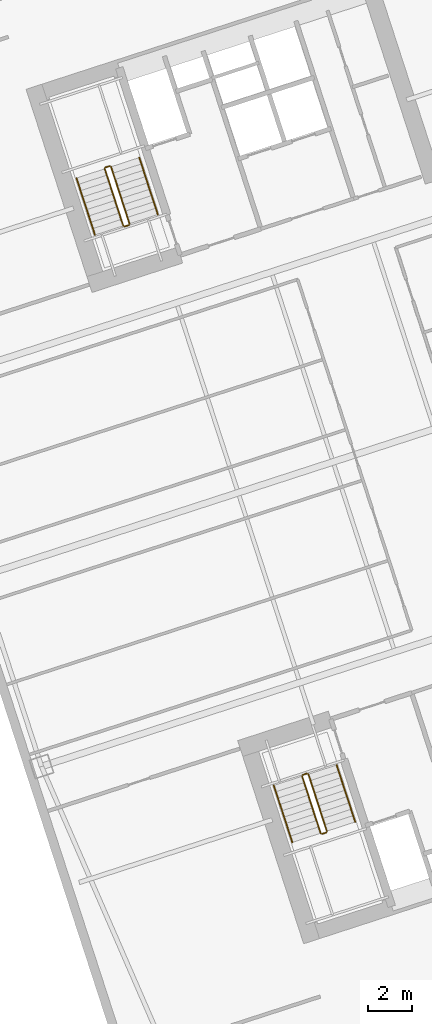
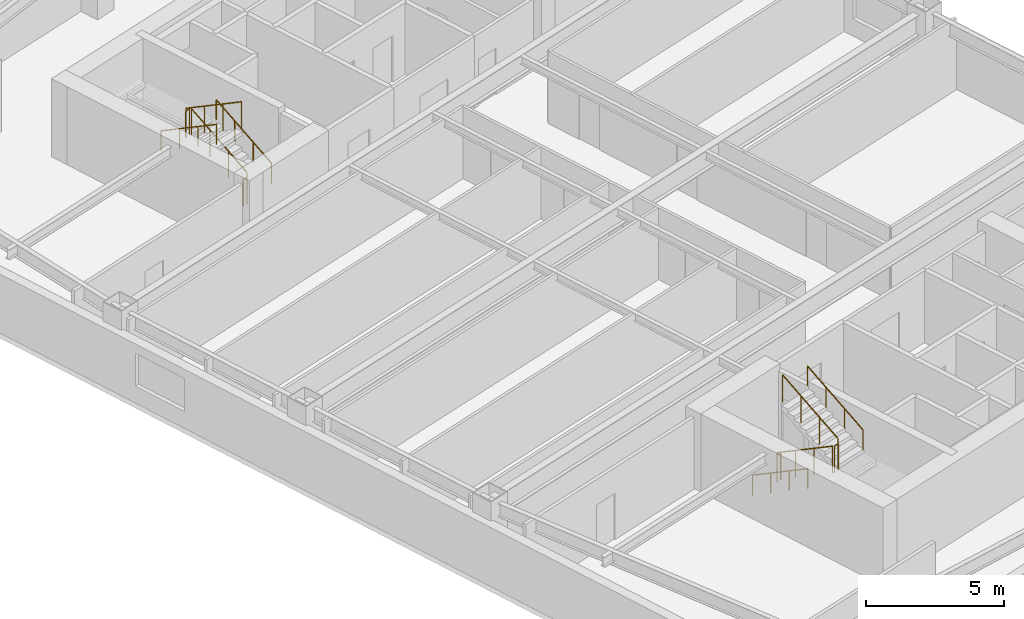
# One storey, part 13 of 13: 12 railings.
"""IFC4 building model written with IfcOpenShell, lengths in metres."""

from ifc_helpers import new_model, si_unit, direction, frame, origin, origin_2d, place, context, subcontext, project, spatial, circle, extrude, material, type_object, element, save


model = new_model("IFC4")

# Units and contexts
model_context = context("Model", 3, precision=1e-05, world=origin(), true_north=direction((0.0, 1.0)))
body_context = subcontext(model_context, "Body", "Model", "MODEL_VIEW")
ifc_project = project(units=[si_unit("LENGTHUNIT", "METRE"), si_unit("AREAUNIT", "SQUARE_METRE"), si_unit("VOLUMEUNIT", "CUBIC_METRE"), si_unit("PLANEANGLEUNIT", "RADIAN"), si_unit("MASSUNIT", "GRAM", prefix="KILO")], contexts=[model_context])

# Site, building, storey
site_placement = place(None, origin())
site = spatial("IfcSite", under=ifc_project, at=site_placement, CompositionType="ELEMENT")
building_placement = place(site_placement, origin())
building = spatial("IfcBuilding", under=site, at=building_placement, Name="Qiaolan Cultural Towers", CompositionType="ELEMENT")
storey_placement = place(building_placement, frame((0.0, 0.0, 85.10009765625)))
storey = spatial("IfcBuildingStorey", under=building, at=storey_placement, Name="L21", CompositionType="ELEMENT", Elevation=85.10009765625)

# Railings
ifc_material_1 = material(Name="Galvanized Painted Steel Stair Guardrail", Category="steel")
railing_type_1 = type_object("IfcRailingType", Name="RL-STAIR-GRD", PredefinedType="GUARDRAIL", material=ifc_material_1)
railing_1_placement = place(storey_placement, frame((88.60205078125, 19.82421875, 0.17236328125)))
element("IfcRailing", 1, at=railing_1_placement, inside=storey, type_object=railing_type_1, Name="L21 ST-E1 stair guard 1", PredefinedType="GUARDRAIL", context=body_context, shape_type="SweptSolid", body=[
    extrude(circle(Radius=0.02392578125, at=origin_2d()), frame((0.0, 0.0, 1.17578125), z_axis=(0.267925668498, -0.824471088726, 0.498460891159), x_axis=(0.951043371037, 0.309057448393, 0.0)), (0.0, 0.0, 1.0), 3.114501953125),
    extrude(circle(Radius=0.02099609375, at=origin_2d()), origin(), (0.0, 0.0, 1.0), 1.15185546875),
    extrude(circle(Radius=0.02099609375, at=origin_2d()), frame((0.278076171875, -0.85595703125, 0.517578125)), (0.0, 0.0, 1.0), 1.15185546875),
    extrude(circle(Radius=0.02099609375, at=origin_2d()), frame((0.556396484375, -1.7119140625, 1.034912109375)), (0.0, 0.0, 1.0), 1.15185546875),
    extrude(circle(Radius=0.02099609375, at=origin_2d()), frame((0.83447265625, -2.56787109375, 1.552490234375)), (0.0, 0.0, 1.0), 1.15185546875),
])
railing_2_placement = place(storey_placement, frame((89.49951171875, 17.224365234375, 1.724853515625)))
element("IfcRailing", 2, at=railing_2_placement, inside=storey, type_object=railing_type_1, Name="L21 ST-E1 stair guard 2", PredefinedType="GUARDRAIL", context=body_context, shape_type="SweptSolid", body=[
    extrude(circle(Radius=0.02392578125, at=origin_2d()), frame((0.0, 0.0, 1.17578125), z_axis=(0.951096855055, 0.308892816854, 0.0), x_axis=(-0.308892816854, 0.951096855055, 0.0)), (0.0, 0.0, 1.0), 0.199951171875),
    extrude(circle(Radius=0.02099609375, at=origin_2d()), origin(), (0.0, 0.0, 1.0), 1.15185546875),
    extrude(circle(Radius=0.02099609375, at=origin_2d()), frame((0.190185546875, 0.061767578125, 0.0)), (0.0, 0.0, 1.0), 1.15185546875),
])
railing_3_placement = place(storey_placement, frame((89.721923828125, 17.34912109375, 1.8974609375)))
element("IfcRailing", 3, at=railing_3_placement, inside=storey, type_object=railing_type_1, Name="L21 ST-E1 stair guard 3", PredefinedType="GUARDRAIL", context=body_context, shape_type="SweptSolid", body=[
    extrude(circle(Radius=0.02392578125, at=origin_2d()), frame((0.0, 0.0, 1.17578125), z_axis=(-0.267925668498, 0.824471088726, 0.498460891159), x_axis=(-0.951043371037, -0.309057448393, 0.0)), (0.0, 0.0, 1.0), 3.114501953125),
    extrude(circle(Radius=0.02099609375, at=origin_2d()), origin(), (0.0, 0.0, 1.0), 1.15185546875),
    extrude(circle(Radius=0.02099609375, at=origin_2d()), frame((-0.278076171875, 0.85595703125, 0.517578125)), (0.0, 0.0, 1.0), 1.15185546875),
    extrude(circle(Radius=0.02099609375, at=origin_2d()), frame((-0.556396484375, 1.7119140625, 1.034912109375)), (0.0, 0.0, 1.0), 1.15185546875),
    extrude(circle(Radius=0.02099609375, at=origin_2d()), frame((-0.83447265625, 2.56787109375, 1.552490234375)), (0.0, 0.0, 1.0), 1.15185546875),
])
railing_4_placement = place(storey_placement, frame((88.63427734375, 19.88720703125, 0.0)))
element("IfcRailing", 4, at=railing_4_placement, inside=storey, type_object=railing_type_1, Name="L21 ST-E1 stair guard 4", PredefinedType="GUARDRAIL", context=body_context, shape_type="SweptSolid", body=[
    extrude(circle(Radius=0.02392578125, at=origin_2d()), frame((0.0, 0.0, 1.17578125), z_axis=(0.951096855055, 0.308892816854, 0.0), x_axis=(-0.308892816854, 0.951096855055, 0.0)), (0.0, 0.0, 1.0), 0.199951171875),
    extrude(circle(Radius=0.02099609375, at=origin_2d()), origin(), (0.0, 0.0, 1.0), 1.15185546875),
    extrude(circle(Radius=0.02099609375, at=origin_2d()), frame((0.190185546875, 0.061767578125, 0.0)), (0.0, 0.0, 1.0), 1.15185546875),
])
railing_5_placement = place(storey_placement, frame((80.822021484375, 44.739501953125, 0.17236328125)))
element("IfcRailing", 5, at=railing_5_placement, inside=storey, type_object=railing_type_1, Name="L21 ST-E2 stair guard 1", PredefinedType="GUARDRAIL", context=body_context, shape_type="SweptSolid", body=[
    extrude(circle(Radius=0.02392578125, at=origin_2d()), frame((0.0, 0.0, 1.17578125), z_axis=(-0.26785290645, 0.824488402118, 0.498471358535), x_axis=(-0.951069945308, -0.308975661068, 0.0)), (0.0, 0.0, 1.0), 3.114501953125),
    extrude(circle(Radius=0.02099609375, at=origin_2d()), origin(), (0.0, 0.0, 1.0), 1.15185546875),
    extrude(circle(Radius=0.02099609375, at=origin_2d()), frame((-0.278076171875, 0.85595703125, 0.517578125)), (0.0, 0.0, 1.0), 1.15185546875),
    extrude(circle(Radius=0.02099609375, at=origin_2d()), frame((-0.55615234375, 1.7119140625, 1.034912109375)), (0.0, 0.0, 1.0), 1.15185546875),
    extrude(circle(Radius=0.02099609375, at=origin_2d()), frame((-0.834228515625, 2.56787109375, 1.552490234375)), (0.0, 0.0, 1.0), 1.15185546875),
])
railing_6_placement = place(storey_placement, frame((79.9248046875, 47.33935546875, 1.724853515625)))
element("IfcRailing", 6, at=railing_6_placement, inside=storey, type_object=railing_type_1, Name="L21 ST-E2 stair guard 2", PredefinedType="GUARDRAIL", context=body_context, shape_type="SweptSolid", body=[
    extrude(circle(Radius=0.02392578125, at=origin_2d()), frame((0.0, 0.0, 1.17578125), z_axis=(-0.951096855055, -0.308892816854, 0.0), x_axis=(0.308892816854, -0.951096855055, 0.0)), (0.0, 0.0, 1.0), 0.199951171875),
    extrude(circle(Radius=0.02099609375, at=origin_2d()), origin(), (0.0, 0.0, 1.0), 1.15185546875),
    extrude(circle(Radius=0.02099609375, at=origin_2d()), frame((-0.190185546875, -0.061767578125, 0.0)), (0.0, 0.0, 1.0), 1.15185546875),
])
railing_7_placement = place(storey_placement, frame((79.702392578125, 47.214599609375, 1.8974609375)))
element("IfcRailing", 7, at=railing_7_placement, inside=storey, type_object=railing_type_1, Name="L21 ST-E2 stair guard 3", PredefinedType="GUARDRAIL", context=body_context, shape_type="SweptSolid", body=[
    extrude(circle(Radius=0.02392578125, at=origin_2d()), frame((0.0, 0.0, 1.17578125), z_axis=(0.267925668498, -0.824471088726, 0.498460891159), x_axis=(0.951043371037, 0.309057448393, 0.0)), (0.0, 0.0, 1.0), 3.114501953125),
    extrude(circle(Radius=0.02099609375, at=origin_2d()), origin(), (0.0, 0.0, 1.0), 1.15185546875),
    extrude(circle(Radius=0.02099609375, at=origin_2d()), frame((0.278076171875, -0.85595703125, 0.517578125)), (0.0, 0.0, 1.0), 1.15185546875),
    extrude(circle(Radius=0.02099609375, at=origin_2d()), frame((0.556396484375, -1.7119140625, 1.034912109375)), (0.0, 0.0, 1.0), 1.15185546875),
    extrude(circle(Radius=0.02099609375, at=origin_2d()), frame((0.83447265625, -2.56787109375, 1.552490234375)), (0.0, 0.0, 1.0), 1.15185546875),
])
railing_8_placement = place(storey_placement, frame((80.7900390625, 44.676513671875, 0.0)))
element("IfcRailing", 8, at=railing_8_placement, inside=storey, type_object=railing_type_1, Name="L21 ST-E2 stair guard 4", PredefinedType="GUARDRAIL", context=body_context, shape_type="SweptSolid", body=[
    extrude(circle(Radius=0.02392578125, at=origin_2d()), frame((0.0, 0.0, 1.17578125), z_axis=(-0.951096855055, -0.308892816854, 0.0), x_axis=(0.308892816854, -0.951096855055, 0.0)), (0.0, 0.0, 1.0), 0.199951171875),
    extrude(circle(Radius=0.02099609375, at=origin_2d()), origin(), (0.0, 0.0, 1.0), 1.15185546875),
    extrude(circle(Radius=0.02099609375, at=origin_2d()), frame((-0.190185546875, -0.061767578125, 0.0)), (0.0, 0.0, 1.0), 1.15185546875),
])
ifc_material_2 = material(Name="Stainless Steel S30408 Tubular Handrail", Category="steel")
railing_type_2 = type_object("IfcRailingType", Name="RL-STAIR-HR", PredefinedType="HANDRAIL", material=ifc_material_2)
railing_9_placement = place(storey_placement, frame((87.32763671875, 19.41015625, 0.17236328125)))
element("IfcRailing", 9, at=railing_9_placement, inside=storey, type_object=railing_type_2, Name="L21 ST-E1 stair handrail 1", PredefinedType="HANDRAIL", context=body_context, shape_type="SweptSolid", body=[
    extrude(circle(Radius=0.02392578125, at=origin_2d()), frame((0.0, 0.0, 0.8759765625), z_axis=(0.267925668498, -0.824471088726, 0.498460891159), x_axis=(0.951043371037, 0.309057448393, 0.0)), (0.0, 0.0, 1.0), 3.114501953125),
    extrude(circle(Radius=0.02099609375, at=origin_2d()), origin(), (0.0, 0.0, 1.0), 0.851806640625),
    extrude(circle(Radius=0.02099609375, at=origin_2d()), frame((0.278076171875, -0.85595703125, 0.517578125)), (0.0, 0.0, 1.0), 0.851806640625),
    extrude(circle(Radius=0.02099609375, at=origin_2d()), frame((0.556396484375, -1.7119140625, 1.034912109375)), (0.0, 0.0, 1.0), 0.851806640625),
    extrude(circle(Radius=0.02099609375, at=origin_2d()), frame((0.83447265625, -2.56787109375, 1.552490234375)), (0.0, 0.0, 1.0), 0.851806640625),
])
railing_10_placement = place(storey_placement, frame((90.996337890625, 17.76318359375, 1.8974609375)))
element("IfcRailing", 10, at=railing_10_placement, inside=storey, type_object=railing_type_2, Name="L21 ST-E1 stair handrail 2", PredefinedType="HANDRAIL", context=body_context, shape_type="SweptSolid", body=[
    extrude(circle(Radius=0.02392578125, at=origin_2d()), frame((0.0, 0.0, 0.8759765625), z_axis=(-0.267925668498, 0.824471088726, 0.498460891159), x_axis=(-0.951043371037, -0.309057448393, 0.0)), (0.0, 0.0, 1.0), 3.114501953125),
    extrude(circle(Radius=0.02099609375, at=origin_2d()), origin(), (0.0, 0.0, 1.0), 0.851806640625),
    extrude(circle(Radius=0.02099609375, at=origin_2d()), frame((-0.278076171875, 0.85595703125, 0.517578125)), (0.0, 0.0, 1.0), 0.851806640625),
    extrude(circle(Radius=0.02099609375, at=origin_2d()), frame((-0.556396484375, 1.7119140625, 1.034912109375)), (0.0, 0.0, 1.0), 0.851806640625),
    extrude(circle(Radius=0.02099609375, at=origin_2d()), frame((-0.83447265625, 2.56787109375, 1.552490234375)), (0.0, 0.0, 1.0), 0.851806640625),
])
railing_11_placement = place(storey_placement, frame((82.096435546875, 45.153564453125, 0.17236328125)))
element("IfcRailing", 11, at=railing_11_placement, inside=storey, type_object=railing_type_2, Name="L21 ST-E2 stair handrail 1", PredefinedType="HANDRAIL", context=body_context, shape_type="SweptSolid", body=[
    extrude(circle(Radius=0.02392578125, at=origin_2d()), frame((0.0, 0.0, 0.8759765625), z_axis=(-0.26785290645, 0.824488402118, 0.498471358535), x_axis=(-0.951069945308, -0.308975661068, 0.0)), (0.0, 0.0, 1.0), 3.114501953125),
    extrude(circle(Radius=0.02099609375, at=origin_2d()), origin(), (0.0, 0.0, 1.0), 0.851806640625),
    extrude(circle(Radius=0.02099609375, at=origin_2d()), frame((-0.278076171875, 0.85595703125, 0.517578125)), (0.0, 0.0, 1.0), 0.851806640625),
    extrude(circle(Radius=0.02099609375, at=origin_2d()), frame((-0.55615234375, 1.7119140625, 1.034912109375)), (0.0, 0.0, 1.0), 0.851806640625),
    extrude(circle(Radius=0.02099609375, at=origin_2d()), frame((-0.834228515625, 2.56787109375, 1.552490234375)), (0.0, 0.0, 1.0), 0.851806640625),
])
railing_12_placement = place(storey_placement, frame((78.427978515625, 46.800537109375, 1.8974609375)))
element("IfcRailing", 12, at=railing_12_placement, inside=storey, type_object=railing_type_2, Name="L21 ST-E2 stair handrail 2", PredefinedType="HANDRAIL", context=body_context, shape_type="SweptSolid", body=[
    extrude(circle(Radius=0.02392578125, at=origin_2d()), frame((0.0, 0.0, 0.8759765625), z_axis=(0.267925668498, -0.824471088726, 0.498460891159), x_axis=(0.951043371037, 0.309057448393, 0.0)), (0.0, 0.0, 1.0), 3.114501953125),
    extrude(circle(Radius=0.02099609375, at=origin_2d()), origin(), (0.0, 0.0, 1.0), 0.851806640625),
    extrude(circle(Radius=0.02099609375, at=origin_2d()), frame((0.278076171875, -0.85595703125, 0.517578125)), (0.0, 0.0, 1.0), 0.851806640625),
    extrude(circle(Radius=0.02099609375, at=origin_2d()), frame((0.556396484375, -1.7119140625, 1.034912109375)), (0.0, 0.0, 1.0), 0.851806640625),
    extrude(circle(Radius=0.02099609375, at=origin_2d()), frame((0.83447265625, -2.56787109375, 1.552490234375)), (0.0, 0.0, 1.0), 0.851806640625),
])

save(model, "model.ifc")
